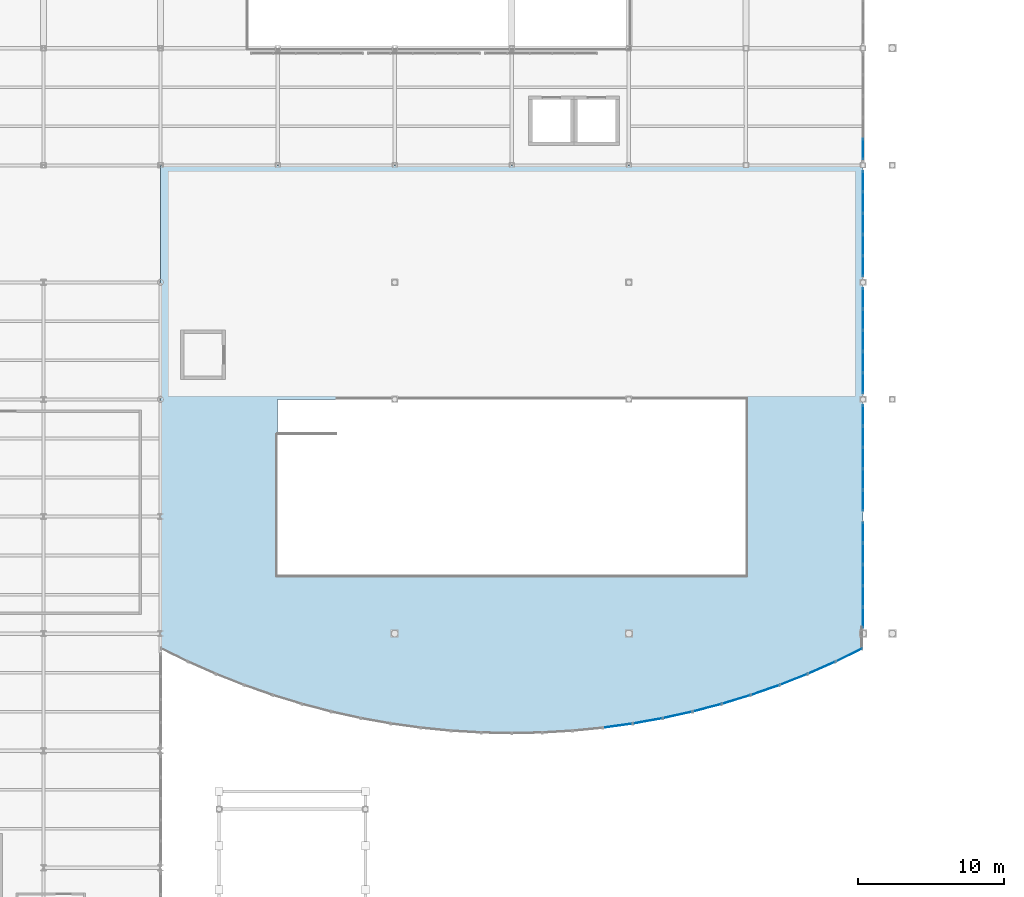
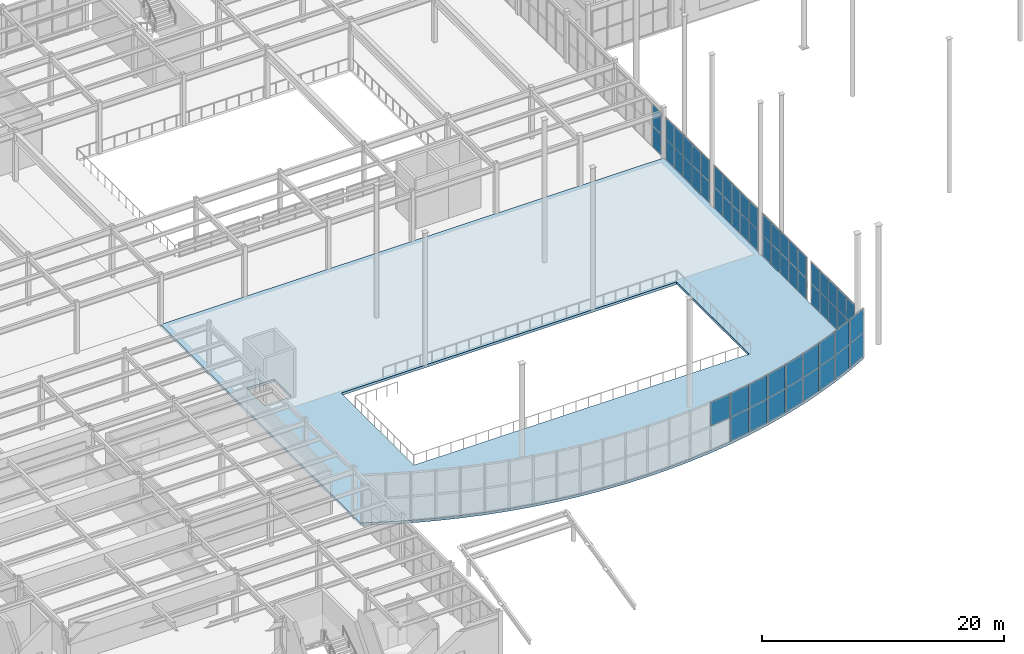
# One storey, part 48 of 77: 59 plates, 1 slab, 14 elements without a shape of their own.
"""IFC4 building model written with IfcOpenShell, lengths in metres."""

import ifcopenshell
import ifcopenshell.guid

model = None  # the IFC model being written
_history = None  # IfcOwnerHistory: only IFC2X3 demands one
_inside = {}  # id of a spatial element -> (the spatial element, [elements in it])
_under = {}  # id of a project, library or spatial element -> (it, [spatial elements below it])
_declared = {}  # id of a project -> (the project, [libraries it declares])
_typed = {}  # id of a type object -> (the type object, [elements of that type])
_made_of = {}  # id of a material, layer set ... -> (it, [elements and type objects made of it])


def new_model(schema):
    """Start an empty IFC model of exactly this schema.

    Asked for "IFC4X3", IfcOpenShell would pick the latest addendum, in which some entities
    have other attributes; the version numbers below select the first issue.
    IFC2X3 requires an IfcOwnerHistory on every rooted entity: one is made here for all.
    """
    global model, _history
    if schema == "IFC4X3":
        model = ifcopenshell.file(schema_version=(4, 3, 0, 0))
    else:
        model = ifcopenshell.file(schema=schema)
    _inside.clear()
    _under.clear()
    _declared.clear()
    _typed.clear()
    _made_of.clear()
    _history = None
    if model.schema == "IFC2X3":
        org = make("IfcOrganization", Name="unknown")
        user = make(
            "IfcPersonAndOrganization",
            ThePerson=make("IfcPerson", FamilyName="unknown"),
            TheOrganization=org,
        )
        app = make(
            "IfcApplication",
            ApplicationDeveloper=org,
            Version="unknown",
            ApplicationFullName="unknown",
            ApplicationIdentifier="unknown",
        )
        _history = make(
            "IfcOwnerHistory",
            OwningUser=user,
            OwningApplication=app,
            ChangeAction="ADDED",
            CreationDate=0,
        )
    return model


def make(cls, **values):
    """One entity of the class cls with the attributes given. An attribute that is None is left unset."""
    return model.create_entity(
        cls, **{name: value for name, value in values.items() if value is not None}
    )


def rooted(cls, **values):
    """An entity with a GlobalId (a new one), such as an element, a storey or a relation."""
    return make(cls, GlobalId=ifcopenshell.guid.new(), OwnerHistory=_history, **values)


def si_unit(unit_type, name, prefix=None):
    """IfcSIUnit, for example si_unit("LENGTHUNIT", "METRE", prefix="MILLI")."""
    return make("IfcSIUnit", UnitType=unit_type, Prefix=prefix, Name=name)


def assignment(units):
    """IfcUnitAssignment: the units of a project."""
    return None if units is None else make("IfcUnitAssignment", Units=units)


def point(xyz):
    """IfcCartesianPoint."""
    return None if xyz is None else make("IfcCartesianPoint", Coordinates=xyz)


def direction(xyz):
    """IfcDirection."""
    return None if xyz is None else make("IfcDirection", DirectionRatios=xyz)


def frame(location, z_axis=None, x_axis=None):
    """IfcAxis2Placement3D, a coordinate frame: its origin and axes. An axis left out is left unset."""
    return make(
        "IfcAxis2Placement3D",
        Location=point(location),
        Axis=direction(z_axis),
        RefDirection=direction(x_axis),
    )


def frame_2d(location, x_axis=None):
    """IfcAxis2Placement2D, a coordinate frame in the plane: its origin and x axis."""
    return make(
        "IfcAxis2Placement2D", Location=point(location), RefDirection=direction(x_axis)
    )


def origin():
    """The frame at (0, 0, 0) with its axes left unset."""
    return frame((0.0, 0.0, 0.0))


def origin_2d():
    """The frame at (0, 0) in the plane with its x axis left unset."""
    return frame_2d((0.0, 0.0))


def place(relative_to, where):
    """IfcLocalPlacement: puts the frame where relative to a parent placement (None: the world)."""
    return make(
        "IfcLocalPlacement", PlacementRelTo=relative_to, RelativePlacement=where
    )


def context(
    kind, dimensions, precision=None, world=None, true_north=None, identifier=None
):
    """IfcGeometricRepresentationContext, for example the 3D "Model" context."""
    return make(
        "IfcGeometricRepresentationContext",
        ContextIdentifier=identifier,
        ContextType=kind,
        CoordinateSpaceDimension=dimensions,
        Precision=precision,
        WorldCoordinateSystem=world,
        TrueNorth=true_north,
    )


def subcontext(parent, identifier, kind, view, scale=None):
    """IfcGeometricRepresentationSubContext, for example "Body" below "Model"."""
    return make(
        "IfcGeometricRepresentationSubContext",
        ContextIdentifier=identifier,
        ContextType=kind,
        ParentContext=parent,
        TargetScale=scale,
        TargetView=view,
    )


def project(units=None, contexts=None):
    """IfcProject with its units and contexts."""
    return rooted(
        "IfcProject",
        Name="project",
        RepresentationContexts=contexts,
        UnitsInContext=assignment(units),
    )


def spatial(cls, under=None, at=None, **own):
    """A site, building, storey or space (cls), placed at a placement, below another one or the project."""
    s = rooted(cls, ObjectPlacement=at, **own)
    if under is not None:
        _under.setdefault(under.id(), (under, []))[1].append(s)
    return s


def polyline(points):
    """IfcPolyline through the points."""
    return make("IfcPolyline", Points=[point(p) for p in points])


def profile(cls, at=None, kind="AREA", **sizes):
    """A parametric profile (cls). Its sizes go by their IFC names, for example OverallWidth=200.0."""
    return make(cls, ProfileType=kind, Position=at, **sizes)


def rectangle(**sizes):
    """IfcRectangleProfileDef."""
    return profile("IfcRectangleProfileDef", **sizes)


def outline(outer, holes=None, kind="AREA"):
    """IfcArbitraryClosedProfileDef: a profile drawn as a closed curve; with holes, ...WithVoids."""
    if holes is None:
        return make("IfcArbitraryClosedProfileDef", ProfileType=kind, OuterCurve=outer)
    return make(
        "IfcArbitraryProfileDefWithVoids",
        ProfileType=kind,
        OuterCurve=outer,
        InnerCurves=holes,
    )


def extrude(swept, where, along, depth):
    """IfcExtrudedAreaSolid: the profile swept, set in the frame where, extruded along a direction by depth."""
    return make(
        "IfcExtrudedAreaSolid",
        SweptArea=swept,
        Position=where,
        ExtrudedDirection=direction(along),
        Depth=depth,
    )


def shape(context_of_items, identifier, shape_type, items):
    """IfcShapeRepresentation: the items that make up one representation, for example the "Body"."""
    return make(
        "IfcShapeRepresentation",
        ContextOfItems=context_of_items,
        RepresentationIdentifier=identifier,
        RepresentationType=shape_type,
        Items=items,
    )


def material(Name=None, Category=None):
    """IfcMaterial."""
    return make("IfcMaterial", Name=Name, Category=Category)


def layer(
    of_material, thickness, ventilated=None, Name=None, Category=None, Priority=None
):
    """IfcMaterialLayer: one layer of a wall or slab, of a material (None: an air gap)."""
    return make(
        "IfcMaterialLayer",
        Material=of_material,
        LayerThickness=thickness,
        IsVentilated=ventilated,
        Name=Name,
        Category=Category,
        Priority=Priority,
    )


def layer_set(layers, Name=None):
    """IfcMaterialLayerSet."""
    return make("IfcMaterialLayerSet", MaterialLayers=layers, LayerSetName=Name)


def made_of(thing, what):
    """Note that an element or type object is made of a material, layer set ...; save() writes the relation."""
    if what is not None:
        _made_of.setdefault(what.id(), (what, []))[1].append(thing)
    return thing


def type_object(cls, material=None, **own):
    """A type object (cls), such as IfcWallType, which elements share."""
    return made_of(rooted(cls, **own), material)


def element(
    cls,
    number,
    at=None,
    inside=None,
    cuts=None,
    type_object=None,
    material=None,
    context=None,
    identifier="Body",
    shape_type=None,
    held_by="IfcProductDefinitionShape",
    body=None,
    shapes=None,
    **own,
):
    """One element of the class cls, such as IfcWall. Its Tag is "e" and its number.

    at: its placement. inside: the storey or other place that contains it. cuts: it is an
    opening in that element (IfcRelVoidsElement). A single representation is given by context,
    identifier, shape_type and body (its items); several are given by shapes. held_by: the class
    of the entity that holds the representations. save() writes the other relations.
    """
    e = rooted(cls, Tag="e%d" % number, ObjectPlacement=at, **own)
    if body is not None:
        shapes = [shape(context, identifier, shape_type, body)]
    if shapes is not None:
        e.Representation = make(held_by, Representations=shapes)
    if inside is not None:
        _inside.setdefault(inside.id(), (inside, []))[1].append(e)
    if cuts is not None:
        rooted(
            "IfcRelVoidsElement", RelatingBuildingElement=cuts, RelatedOpeningElement=e
        )
    if type_object is not None:
        _typed.setdefault(type_object.id(), (type_object, []))[1].append(e)
    return made_of(e, material)


def aggregate(whole, parts):
    """IfcRelAggregates: a whole, such as a stair, and the parts it consists of."""
    return rooted("IfcRelAggregates", RelatingObject=whole, RelatedObjects=parts)


def save(model, path):
    """Write the relations noted so far, then the file.

    IfcRelAggregates (storeys below a building ...), IfcRelContainedInSpatialStructure (elements
    in a storey), IfcRelDefinesByType, IfcRelAssociatesMaterial and IfcRelDeclares: one each for
    every whole, place, type object, material and project.
    """
    for whole, parts in _under.values():
        aggregate(whole, parts)
    for where, things in _inside.values():
        rooted(
            "IfcRelContainedInSpatialStructure",
            RelatedElements=things,
            RelatingStructure=where,
        )
    for kind, things in _typed.values():
        rooted("IfcRelDefinesByType", RelatedObjects=things, RelatingType=kind)
    for what, things in _made_of.values():
        rooted("IfcRelAssociatesMaterial", RelatedObjects=things, RelatingMaterial=what)
    for by, libraries in _declared.values():
        rooted("IfcRelDeclares", RelatingContext=by, RelatedDefinitions=libraries)
    model.write(path)


model = new_model("IFC4")

# Units and contexts
model_context = context("Model", 3, precision=1e-05, world=origin(), true_north=direction((0.0, 1.0)))
body_context = subcontext(model_context, "Body", "Model", "MODEL_VIEW")
ifc_project = project(units=[si_unit("LENGTHUNIT", "METRE"), si_unit("AREAUNIT", "SQUARE_METRE"), si_unit("VOLUMEUNIT", "CUBIC_METRE"), si_unit("PLANEANGLEUNIT", "RADIAN"), si_unit("MASSUNIT", "GRAM", prefix="KILO")], contexts=[model_context])

# Site, building, storey
site_placement = place(None, origin())
site = spatial("IfcSite", under=ifc_project, at=site_placement, CompositionType="ELEMENT")
building_placement = place(site_placement, origin())
building = spatial("IfcBuilding", under=site, at=building_placement, Name="Drelvath Fold Interchange", CompositionType="ELEMENT")
storey_placement = place(building_placement, frame((0.0, 0.0, 6.0)))
storey = spatial("IfcBuildingStorey", under=building, at=storey_placement, Name="L01", CompositionType="ELEMENT", Elevation=6.0)

# Curtain wall, plate
ifc_material_1 = material(Name="Anodized Aluminium 6063-T6", Category="aluminium")
curtain_wall_type_1 = type_object("IfcCurtainWallType", Name="CW-ARC-L01", PredefinedType="USERDEFINED", material=ifc_material_1)
curtain_wall_1_placement = place(storey_placement, origin())
curtain_wall_1 = element("IfcCurtainWall", 1, at=curtain_wall_1_placement, inside=storey, type_object=curtain_wall_type_1, Name="Curtain wall CW-WH-L01-15", ObjectType="UNITISED CURTAIN WALL", PredefinedType="USERDEFINED")
ifc_material_2 = material(Name="Low-Iron Insulated Laminated Glass", Category="glass")
ifc_layer_1 = layer(ifc_material_2, 0.035888671875, Name="Low-Iron Insulated Laminated Glass")
ifc_layer_set_1 = layer_set([ifc_layer_1], Name="Low-Iron Insulated Laminated Glass")
plate_type_1 = type_object("IfcPlateType", Name="CP-ARC-A", PredefinedType="CURTAIN_PANEL", material=ifc_layer_set_1)
plate_1_placement = place(storey_placement, frame((83.2451171875, 20.7060546875, 2.4599609375), z_axis=(0.0, 0.0, 1.0), x_axis=(0.990406033328, 0.138187876271, 0.0)))
plate_1 = element("IfcPlate", 2, at=plate_1_placement, type_object=plate_type_1, Name="CW-WH-L01-15 glazed panel 0-1", PredefinedType="CURTAIN_PANEL", context=body_context, shape_type="SweptSolid", body=[
    extrude(rectangle(XDim=1.97705078125, YDim=0.035888671875, at=origin_2d()), origin(), (0.0, 0.0, 1.0), 2.39990234375),
])
aggregate(curtain_wall_1, [plate_1])

# Curtain wall, plates
curtain_wall_2_placement = place(storey_placement, origin())
curtain_wall_2 = element("IfcCurtainWall", 3, at=curtain_wall_2_placement, inside=storey, type_object=curtain_wall_type_1, Name="Curtain wall CW-WH-L01-16", ObjectType="UNITISED CURTAIN WALL", PredefinedType="USERDEFINED")
plate_2_placement = place(storey_placement, frame((85.2958984375, 21.032958984375, 0.0400390625), z_axis=(0.0, 0.0, 1.0), x_axis=(0.984177058302, 0.177187804071, 0.0)))
plate_2 = element("IfcPlate", 4, at=plate_2_placement, type_object=plate_type_1, Name="CW-WH-L01-16 glazed panel 0-0", PredefinedType="CURTAIN_PANEL", context=body_context, shape_type="SweptSolid", body=[
    extrude(rectangle(XDim=1.97705078125, YDim=0.035888671875, at=origin_2d()), origin(), (0.0, 0.0, 1.0), 2.39990234375),
])
plate_3_placement = place(storey_placement, frame((85.2958984375, 21.032958984375, 2.4599609375), z_axis=(0.0, 0.0, 1.0), x_axis=(0.984177058302, 0.177187804071, 0.0)))
plate_3 = element("IfcPlate", 5, at=plate_3_placement, type_object=plate_type_1, Name="CW-WH-L01-16 glazed panel 0-1", PredefinedType="CURTAIN_PANEL", context=body_context, shape_type="SweptSolid", body=[
    extrude(rectangle(XDim=1.97705078125, YDim=0.035888671875, at=origin_2d()), origin(), (0.0, 0.0, 1.0), 2.39990234375),
])
aggregate(curtain_wall_2, [plate_2, plate_3])

curtain_wall_3_placement = place(storey_placement, origin())
curtain_wall_3 = element("IfcCurtainWall", 6, at=curtain_wall_3_placement, inside=storey, type_object=curtain_wall_type_1, Name="Curtain wall CW-WH-L01-17", ObjectType="UNITISED CURTAIN WALL", PredefinedType="USERDEFINED")
plate_4_placement = place(storey_placement, frame((87.33203125, 21.44091796875, 0.0400390625), z_axis=(0.0, 0.0, 1.0), x_axis=(0.976458168269, 0.215706851122, 0.0)))
plate_4 = element("IfcPlate", 7, at=plate_4_placement, type_object=plate_type_1, Name="CW-WH-L01-17 glazed panel 0-0", PredefinedType="CURTAIN_PANEL", context=body_context, shape_type="SweptSolid", body=[
    extrude(rectangle(XDim=1.97705078125, YDim=0.035888671875, at=origin_2d()), origin(), (0.0, 0.0, 1.0), 2.39990234375),
])
plate_5_placement = place(storey_placement, frame((87.33203125, 21.44091796875, 2.4599609375), z_axis=(0.0, 0.0, 1.0), x_axis=(0.976458168269, 0.215706851122, 0.0)))
plate_5 = element("IfcPlate", 8, at=plate_5_placement, type_object=plate_type_1, Name="CW-WH-L01-17 glazed panel 0-1", PredefinedType="CURTAIN_PANEL", context=body_context, shape_type="SweptSolid", body=[
    extrude(rectangle(XDim=1.97705078125, YDim=0.035888671875, at=origin_2d()), origin(), (0.0, 0.0, 1.0), 2.39990234375),
])
aggregate(curtain_wall_3, [plate_4, plate_5])

curtain_wall_4_placement = place(storey_placement, origin())
curtain_wall_4 = element("IfcCurtainWall", 9, at=curtain_wall_4_placement, inside=storey, type_object=curtain_wall_type_1, Name="Curtain wall CW-WH-L01-18", ObjectType="UNITISED CURTAIN WALL", PredefinedType="USERDEFINED")
plate_6_placement = place(storey_placement, frame((89.35107421875, 21.928955078125, 0.0400390625), z_axis=(0.0, 0.0, 1.0), x_axis=(0.96703705104, 0.254635704322, 0.0)))
plate_6 = element("IfcPlate", 10, at=plate_6_placement, type_object=plate_type_1, Name="CW-WH-L01-18 glazed panel 0-0", PredefinedType="CURTAIN_PANEL", context=body_context, shape_type="SweptSolid", body=[
    extrude(rectangle(XDim=1.97705078125, YDim=0.035888671875, at=origin_2d()), origin(), (0.0, 0.0, 1.0), 2.39990234375),
])
plate_7_placement = place(storey_placement, frame((89.35107421875, 21.928955078125, 2.4599609375), z_axis=(0.0, 0.0, 1.0), x_axis=(0.96703705104, 0.254635704322, 0.0)))
plate_7 = element("IfcPlate", 11, at=plate_7_placement, type_object=plate_type_1, Name="CW-WH-L01-18 glazed panel 0-1", PredefinedType="CURTAIN_PANEL", context=body_context, shape_type="SweptSolid", body=[
    extrude(rectangle(XDim=1.97705078125, YDim=0.035888671875, at=origin_2d()), origin(), (0.0, 0.0, 1.0), 2.39990234375),
])
aggregate(curtain_wall_4, [plate_6, plate_7])

curtain_wall_5_placement = place(storey_placement, origin())
curtain_wall_5 = element("IfcCurtainWall", 12, at=curtain_wall_5_placement, inside=storey, type_object=curtain_wall_type_1, Name="Curtain wall CW-WH-L01-19", ObjectType="UNITISED CURTAIN WALL", PredefinedType="USERDEFINED")
plate_8_placement = place(storey_placement, frame((91.347900390625, 22.4970703125, 0.0400390625), z_axis=(0.0, 0.0, 1.0), x_axis=(0.956330266566, 0.292288250276, 0.0)))
plate_8 = element("IfcPlate", 13, at=plate_8_placement, type_object=plate_type_1, Name="CW-WH-L01-19 glazed panel 0-0", PredefinedType="CURTAIN_PANEL", context=body_context, shape_type="SweptSolid", body=[
    extrude(rectangle(XDim=1.97705078125, YDim=0.035888671875, at=origin_2d()), origin(), (0.0, 0.0, 1.0), 2.39990234375),
])
plate_9_placement = place(storey_placement, frame((91.347900390625, 22.4970703125, 2.4599609375), z_axis=(0.0, 0.0, 1.0), x_axis=(0.956330266566, 0.292288250276, 0.0)))
plate_9 = element("IfcPlate", 14, at=plate_9_placement, type_object=plate_type_1, Name="CW-WH-L01-19 glazed panel 0-1", PredefinedType="CURTAIN_PANEL", context=body_context, shape_type="SweptSolid", body=[
    extrude(rectangle(XDim=1.97705078125, YDim=0.035888671875, at=origin_2d()), origin(), (0.0, 0.0, 1.0), 2.39990234375),
])
aggregate(curtain_wall_5, [plate_8, plate_9])

curtain_wall_6_placement = place(storey_placement, origin())
curtain_wall_6 = element("IfcCurtainWall", 15, at=curtain_wall_6_placement, inside=storey, type_object=curtain_wall_type_1, Name="Curtain wall CW-WH-L01-20", ObjectType="UNITISED CURTAIN WALL", PredefinedType="USERDEFINED")
plate_10_placement = place(storey_placement, frame((93.322021484375, 23.14306640625, 0.0400390625), z_axis=(0.0, 0.0, 1.0), x_axis=(0.944060245862, 0.329773031317, 0.0)))
plate_10 = element("IfcPlate", 16, at=plate_10_placement, type_object=plate_type_1, Name="CW-WH-L01-20 glazed panel 0-0", PredefinedType="CURTAIN_PANEL", context=body_context, shape_type="SweptSolid", body=[
    extrude(rectangle(XDim=1.97705078125, YDim=0.035888671875, at=origin_2d()), origin(), (0.0, 0.0, 1.0), 2.39990234375),
])
plate_11_placement = place(storey_placement, frame((93.322021484375, 23.14306640625, 2.4599609375), z_axis=(0.0, 0.0, 1.0), x_axis=(0.944060245862, 0.329773031317, 0.0)))
plate_11 = element("IfcPlate", 17, at=plate_11_placement, type_object=plate_type_1, Name="CW-WH-L01-20 glazed panel 0-1", PredefinedType="CURTAIN_PANEL", context=body_context, shape_type="SweptSolid", body=[
    extrude(rectangle(XDim=1.97705078125, YDim=0.035888671875, at=origin_2d()), origin(), (0.0, 0.0, 1.0), 2.39990234375),
])
aggregate(curtain_wall_6, [plate_10, plate_11])

curtain_wall_7_placement = place(storey_placement, origin())
curtain_wall_7 = element("IfcCurtainWall", 18, at=curtain_wall_7_placement, inside=storey, type_object=curtain_wall_type_1, Name="Curtain wall CW-WH-L01-21", ObjectType="UNITISED CURTAIN WALL", PredefinedType="USERDEFINED")
plate_12_placement = place(storey_placement, frame((95.26806640625, 23.866943359375, 0.0400390625), z_axis=(0.0, 0.0, 1.0), x_axis=(0.93009738109, 0.367313029567, 0.0)))
plate_12 = element("IfcPlate", 19, at=plate_12_placement, type_object=plate_type_1, Name="CW-WH-L01-21 glazed panel 0-0", PredefinedType="CURTAIN_PANEL", context=body_context, shape_type="SweptSolid", body=[
    extrude(rectangle(XDim=1.97705078125, YDim=0.035888671875, at=origin_2d()), origin(), (0.0, 0.0, 1.0), 2.39990234375),
])
plate_13_placement = place(storey_placement, frame((95.26806640625, 23.866943359375, 2.4599609375), z_axis=(0.0, 0.0, 1.0), x_axis=(0.93009738109, 0.367313029567, 0.0)))
plate_13 = element("IfcPlate", 20, at=plate_13_placement, type_object=plate_type_1, Name="CW-WH-L01-21 glazed panel 0-1", PredefinedType="CURTAIN_PANEL", context=body_context, shape_type="SweptSolid", body=[
    extrude(rectangle(XDim=1.97705078125, YDim=0.035888671875, at=origin_2d()), origin(), (0.0, 0.0, 1.0), 2.39990234375),
])
aggregate(curtain_wall_7, [plate_12, plate_13])

curtain_wall_8_placement = place(storey_placement, origin())
curtain_wall_8 = element("IfcCurtainWall", 21, at=curtain_wall_8_placement, inside=storey, type_object=curtain_wall_type_1, Name="Curtain wall CW-WH-L01-22", ObjectType="UNITISED CURTAIN WALL", PredefinedType="USERDEFINED")
plate_14_placement = place(storey_placement, frame((97.18408203125, 24.66796875, 0.0400390625), z_axis=(0.0, 0.0, 1.0), x_axis=(0.91495966785, 0.403545296352, 0.0)))
plate_14 = element("IfcPlate", 22, at=plate_14_placement, type_object=plate_type_1, Name="CW-WH-L01-22 glazed panel 0-0", PredefinedType="CURTAIN_PANEL", context=body_context, shape_type="SweptSolid", body=[
    extrude(rectangle(XDim=1.97705078125, YDim=0.035888671875, at=origin_2d()), origin(), (0.0, 0.0, 1.0), 2.39990234375),
])
plate_15_placement = place(storey_placement, frame((97.18408203125, 24.66796875, 2.4599609375), z_axis=(0.0, 0.0, 1.0), x_axis=(0.91495966785, 0.403545296352, 0.0)))
plate_15 = element("IfcPlate", 23, at=plate_15_placement, type_object=plate_type_1, Name="CW-WH-L01-22 glazed panel 0-1", PredefinedType="CURTAIN_PANEL", context=body_context, shape_type="SweptSolid", body=[
    extrude(rectangle(XDim=1.97705078125, YDim=0.035888671875, at=origin_2d()), origin(), (0.0, 0.0, 1.0), 2.39990234375),
])
aggregate(curtain_wall_8, [plate_14, plate_15])

curtain_wall_9_placement = place(storey_placement, origin())
curtain_wall_9 = element("IfcCurtainWall", 24, at=curtain_wall_9_placement, inside=storey, type_object=curtain_wall_type_1, Name="Curtain wall CW-WH-L01-23", ObjectType="UNITISED CURTAIN WALL", PredefinedType="USERDEFINED")
plate_16_placement = place(storey_placement, frame((99.06689453125, 25.5439453125, 0.0400390625), z_axis=(0.0, 0.0, 1.0), x_axis=(0.898242463355, 0.439500258277, 0.0)))
plate_16 = element("IfcPlate", 25, at=plate_16_placement, type_object=plate_type_1, Name="CW-WH-L01-23 glazed panel 0-0", PredefinedType="CURTAIN_PANEL", context=body_context, shape_type="SweptSolid", body=[
    extrude(rectangle(XDim=1.97705078125, YDim=0.035888671875, at=origin_2d()), origin(), (0.0, 0.0, 1.0), 2.39990234375),
])
plate_17_placement = place(storey_placement, frame((99.06689453125, 25.5439453125, 2.4599609375), z_axis=(0.0, 0.0, 1.0), x_axis=(0.898242463355, 0.439500258277, 0.0)))
plate_17 = element("IfcPlate", 26, at=plate_17_placement, type_object=plate_type_1, Name="CW-WH-L01-23 glazed panel 0-1", PredefinedType="CURTAIN_PANEL", context=body_context, shape_type="SweptSolid", body=[
    extrude(rectangle(XDim=1.97705078125, YDim=0.035888671875, at=origin_2d()), origin(), (0.0, 0.0, 1.0), 2.39990234375),
])
aggregate(curtain_wall_9, [plate_16, plate_17])

curtain_wall_type_2 = type_object("IfcCurtainWallType", Name="CW-CON-520", PredefinedType="USERDEFINED", material=ifc_material_1)
curtain_wall_10_placement = place(storey_placement, origin())
curtain_wall_10 = element("IfcCurtainWall", 27, at=curtain_wall_10_placement, inside=storey, type_object=curtain_wall_type_2, Name="Curtain wall CW-V1E-L01-Y27", ObjectType="UNITISED CURTAIN WALL", PredefinedType="USERDEFINED")
ifc_layer_2 = layer(ifc_material_2, 0.05810546875, Name="Low-Iron Insulated Laminated Glass")
ifc_layer_set_2 = layer_set([ifc_layer_2], Name="Low-Iron Insulated Laminated Glass")
plate_type_2 = type_object("IfcPlateType", Name="CP-CON-B", PredefinedType="CURTAIN_PANEL", material=ifc_layer_set_2)
plate_18_placement = place(storey_placement, frame((100.0, 28.10791015625, 0.04052734375), z_axis=(0.0, 0.0, 1.0), x_axis=(0.0, 1.0, 0.0)))
plate_18 = element("IfcPlate", 28, at=plate_18_placement, type_object=plate_type_2, Name="CW-V1E-L01-Y27 glazed panel 0-0", PredefinedType="CURTAIN_PANEL", context=body_context, shape_type="SweptSolid", body=[
    extrude(rectangle(XDim=1.39599609375, YDim=0.05810546875, at=origin_2d()), origin(), (0.0, 0.0, 1.0), 2.125),
])
plate_19_placement = place(storey_placement, frame((100.0, 28.10791015625, 2.185546875), z_axis=(0.0, 0.0, 1.0), x_axis=(0.0, 1.0, 0.0)))
plate_19 = element("IfcPlate", 29, at=plate_19_placement, type_object=plate_type_2, Name="CW-V1E-L01-Y27 glazed panel 0-1", PredefinedType="CURTAIN_PANEL", context=body_context, shape_type="SweptSolid", body=[
    extrude(rectangle(XDim=1.39599609375, YDim=0.05810546875, at=origin_2d()), origin(), (0.0, 0.0, 1.0), 2.125),
])
plate_20_placement = place(storey_placement, frame((100.0, 29.5439453125, 0.04052734375), z_axis=(0.0, 0.0, 1.0), x_axis=(0.0, 1.0, 0.0)))
plate_20 = element("IfcPlate", 30, at=plate_20_placement, type_object=plate_type_2, Name="CW-V1E-L01-Y27 glazed panel 1-0", PredefinedType="CURTAIN_PANEL", context=body_context, shape_type="SweptSolid", body=[
    extrude(rectangle(XDim=1.43603515625, YDim=0.05810546875, at=origin_2d()), origin(), (0.0, 0.0, 1.0), 2.125),
])
plate_21_placement = place(storey_placement, frame((100.0, 29.5439453125, 2.185546875), z_axis=(0.0, 0.0, 1.0), x_axis=(0.0, 1.0, 0.0)))
plate_21 = element("IfcPlate", 31, at=plate_21_placement, type_object=plate_type_2, Name="CW-V1E-L01-Y27 glazed panel 1-1", PredefinedType="CURTAIN_PANEL", context=body_context, shape_type="SweptSolid", body=[
    extrude(rectangle(XDim=1.43603515625, YDim=0.05810546875, at=origin_2d()), origin(), (0.0, 0.0, 1.0), 2.125),
])
plate_22_placement = place(storey_placement, frame((100.0, 31.0, 0.04052734375), z_axis=(0.0, 0.0, 1.0), x_axis=(0.0, 1.0, 0.0)))
plate_22 = element("IfcPlate", 32, at=plate_22_placement, type_object=plate_type_2, Name="CW-V1E-L01-Y27 glazed panel 2-0", PredefinedType="CURTAIN_PANEL", context=body_context, shape_type="SweptSolid", body=[
    extrude(rectangle(XDim=1.43603515625, YDim=0.05810546875, at=origin_2d()), origin(), (0.0, 0.0, 1.0), 2.125),
])
plate_23_placement = place(storey_placement, frame((100.0, 31.0, 2.185546875), z_axis=(0.0, 0.0, 1.0), x_axis=(0.0, 1.0, 0.0)))
plate_23 = element("IfcPlate", 33, at=plate_23_placement, type_object=plate_type_2, Name="CW-V1E-L01-Y27 glazed panel 2-1", PredefinedType="CURTAIN_PANEL", context=body_context, shape_type="SweptSolid", body=[
    extrude(rectangle(XDim=1.43603515625, YDim=0.05810546875, at=origin_2d()), origin(), (0.0, 0.0, 1.0), 2.125),
])
plate_24_placement = place(storey_placement, frame((100.0, 32.4560546875, 0.04052734375), z_axis=(0.0, 0.0, 1.0), x_axis=(0.0, 1.0, 0.0)))
plate_24 = element("IfcPlate", 34, at=plate_24_placement, type_object=plate_type_2, Name="CW-V1E-L01-Y27 glazed panel 3-0", PredefinedType="CURTAIN_PANEL", context=body_context, shape_type="SweptSolid", body=[
    extrude(rectangle(XDim=1.43603515625, YDim=0.05810546875, at=origin_2d()), origin(), (0.0, 0.0, 1.0), 2.125),
])
plate_25_placement = place(storey_placement, frame((100.0, 32.4560546875, 2.185546875), z_axis=(0.0, 0.0, 1.0), x_axis=(0.0, 1.0, 0.0)))
plate_25 = element("IfcPlate", 35, at=plate_25_placement, type_object=plate_type_2, Name="CW-V1E-L01-Y27 glazed panel 3-1", PredefinedType="CURTAIN_PANEL", context=body_context, shape_type="SweptSolid", body=[
    extrude(rectangle(XDim=1.43603515625, YDim=0.05810546875, at=origin_2d()), origin(), (0.0, 0.0, 1.0), 2.125),
])
plate_26_placement = place(storey_placement, frame((100.0, 33.89208984375, 0.04052734375), z_axis=(0.0, 0.0, 1.0), x_axis=(0.0, 1.0, 0.0)))
plate_26 = element("IfcPlate", 36, at=plate_26_placement, type_object=plate_type_2, Name="CW-V1E-L01-Y27 glazed panel 4-0", PredefinedType="CURTAIN_PANEL", context=body_context, shape_type="SweptSolid", body=[
    extrude(rectangle(XDim=1.39599609375, YDim=0.05810546875, at=origin_2d()), origin(), (0.0, 0.0, 1.0), 2.125),
])
plate_27_placement = place(storey_placement, frame((100.0, 33.89208984375, 2.185546875), z_axis=(0.0, 0.0, 1.0), x_axis=(0.0, 1.0, 0.0)))
plate_27 = element("IfcPlate", 37, at=plate_27_placement, type_object=plate_type_2, Name="CW-V1E-L01-Y27 glazed panel 4-1", PredefinedType="CURTAIN_PANEL", context=body_context, shape_type="SweptSolid", body=[
    extrude(rectangle(XDim=1.39599609375, YDim=0.05810546875, at=origin_2d()), origin(), (0.0, 0.0, 1.0), 2.125),
])
aggregate(curtain_wall_10, [plate_18, plate_19, plate_20, plate_21, plate_22, plate_23, plate_24, plate_25, plate_26, plate_27])

curtain_wall_11_placement = place(storey_placement, origin())
curtain_wall_11 = element("IfcCurtainWall", 38, at=curtain_wall_11_placement, inside=storey, type_object=curtain_wall_type_2, Name="Curtain wall CW-V1E-L01-Y35", ObjectType="UNITISED CURTAIN WALL", PredefinedType="USERDEFINED")
plate_28_placement = place(storey_placement, frame((100.0, 36.10791015625, 0.04052734375), z_axis=(0.0, 0.0, 1.0), x_axis=(0.0, 1.0, 0.0)))
plate_28 = element("IfcPlate", 39, at=plate_28_placement, type_object=plate_type_2, Name="CW-V1E-L01-Y35 glazed panel 0-0", PredefinedType="CURTAIN_PANEL", context=body_context, shape_type="SweptSolid", body=[
    extrude(rectangle(XDim=1.39599609375, YDim=0.05810546875, at=origin_2d()), origin(), (0.0, 0.0, 1.0), 2.125),
])
plate_29_placement = place(storey_placement, frame((100.0, 36.10791015625, 2.185546875), z_axis=(0.0, 0.0, 1.0), x_axis=(0.0, 1.0, 0.0)))
plate_29 = element("IfcPlate", 40, at=plate_29_placement, type_object=plate_type_2, Name="CW-V1E-L01-Y35 glazed panel 0-1", PredefinedType="CURTAIN_PANEL", context=body_context, shape_type="SweptSolid", body=[
    extrude(rectangle(XDim=1.39599609375, YDim=0.05810546875, at=origin_2d()), origin(), (0.0, 0.0, 1.0), 2.125),
])
plate_30_placement = place(storey_placement, frame((100.0, 37.5439453125, 0.04052734375), z_axis=(0.0, 0.0, 1.0), x_axis=(0.0, 1.0, 0.0)))
plate_30 = element("IfcPlate", 41, at=plate_30_placement, type_object=plate_type_2, Name="CW-V1E-L01-Y35 glazed panel 1-0", PredefinedType="CURTAIN_PANEL", context=body_context, shape_type="SweptSolid", body=[
    extrude(rectangle(XDim=1.43603515625, YDim=0.05810546875, at=origin_2d()), origin(), (0.0, 0.0, 1.0), 2.125),
])
plate_31_placement = place(storey_placement, frame((100.0, 37.5439453125, 2.185546875), z_axis=(0.0, 0.0, 1.0), x_axis=(0.0, 1.0, 0.0)))
plate_31 = element("IfcPlate", 42, at=plate_31_placement, type_object=plate_type_2, Name="CW-V1E-L01-Y35 glazed panel 1-1", PredefinedType="CURTAIN_PANEL", context=body_context, shape_type="SweptSolid", body=[
    extrude(rectangle(XDim=1.43603515625, YDim=0.05810546875, at=origin_2d()), origin(), (0.0, 0.0, 1.0), 2.125),
])
plate_32_placement = place(storey_placement, frame((100.0, 39.0, 0.04052734375), z_axis=(0.0, 0.0, 1.0), x_axis=(0.0, 1.0, 0.0)))
plate_32 = element("IfcPlate", 43, at=plate_32_placement, type_object=plate_type_2, Name="CW-V1E-L01-Y35 glazed panel 2-0", PredefinedType="CURTAIN_PANEL", context=body_context, shape_type="SweptSolid", body=[
    extrude(rectangle(XDim=1.43603515625, YDim=0.05810546875, at=origin_2d()), origin(), (0.0, 0.0, 1.0), 2.125),
])
plate_33_placement = place(storey_placement, frame((100.0, 39.0, 2.185546875), z_axis=(0.0, 0.0, 1.0), x_axis=(0.0, 1.0, 0.0)))
plate_33 = element("IfcPlate", 44, at=plate_33_placement, type_object=plate_type_2, Name="CW-V1E-L01-Y35 glazed panel 2-1", PredefinedType="CURTAIN_PANEL", context=body_context, shape_type="SweptSolid", body=[
    extrude(rectangle(XDim=1.43603515625, YDim=0.05810546875, at=origin_2d()), origin(), (0.0, 0.0, 1.0), 2.125),
])
plate_34_placement = place(storey_placement, frame((100.0, 40.4560546875, 0.04052734375), z_axis=(0.0, 0.0, 1.0), x_axis=(0.0, 1.0, 0.0)))
plate_34 = element("IfcPlate", 45, at=plate_34_placement, type_object=plate_type_2, Name="CW-V1E-L01-Y35 glazed panel 3-0", PredefinedType="CURTAIN_PANEL", context=body_context, shape_type="SweptSolid", body=[
    extrude(rectangle(XDim=1.43603515625, YDim=0.05810546875, at=origin_2d()), origin(), (0.0, 0.0, 1.0), 2.125),
])
plate_35_placement = place(storey_placement, frame((100.0, 40.4560546875, 2.185546875), z_axis=(0.0, 0.0, 1.0), x_axis=(0.0, 1.0, 0.0)))
plate_35 = element("IfcPlate", 46, at=plate_35_placement, type_object=plate_type_2, Name="CW-V1E-L01-Y35 glazed panel 3-1", PredefinedType="CURTAIN_PANEL", context=body_context, shape_type="SweptSolid", body=[
    extrude(rectangle(XDim=1.43603515625, YDim=0.05810546875, at=origin_2d()), origin(), (0.0, 0.0, 1.0), 2.125),
])
plate_36_placement = place(storey_placement, frame((100.0, 41.89208984375, 0.04052734375), z_axis=(0.0, 0.0, 1.0), x_axis=(0.0, 1.0, 0.0)))
plate_36 = element("IfcPlate", 47, at=plate_36_placement, type_object=plate_type_2, Name="CW-V1E-L01-Y35 glazed panel 4-0", PredefinedType="CURTAIN_PANEL", context=body_context, shape_type="SweptSolid", body=[
    extrude(rectangle(XDim=1.39599609375, YDim=0.05810546875, at=origin_2d()), origin(), (0.0, 0.0, 1.0), 2.125),
])
plate_37_placement = place(storey_placement, frame((100.0, 41.89208984375, 2.185546875), z_axis=(0.0, 0.0, 1.0), x_axis=(0.0, 1.0, 0.0)))
plate_37 = element("IfcPlate", 48, at=plate_37_placement, type_object=plate_type_2, Name="CW-V1E-L01-Y35 glazed panel 4-1", PredefinedType="CURTAIN_PANEL", context=body_context, shape_type="SweptSolid", body=[
    extrude(rectangle(XDim=1.39599609375, YDim=0.05810546875, at=origin_2d()), origin(), (0.0, 0.0, 1.0), 2.125),
])
aggregate(curtain_wall_11, [plate_28, plate_29, plate_30, plate_31, plate_32, plate_33, plate_34, plate_35, plate_36, plate_37])

curtain_wall_12_placement = place(storey_placement, origin())
curtain_wall_12 = element("IfcCurtainWall", 49, at=curtain_wall_12_placement, inside=storey, type_object=curtain_wall_type_2, Name="Curtain wall CW-V1E-L01-Y43", ObjectType="UNITISED CURTAIN WALL", PredefinedType="USERDEFINED")
plate_38_placement = place(storey_placement, frame((100.0, 44.10791015625, 0.04052734375), z_axis=(0.0, 0.0, 1.0), x_axis=(0.0, 1.0, 0.0)))
plate_38 = element("IfcPlate", 50, at=plate_38_placement, type_object=plate_type_2, Name="CW-V1E-L01-Y43 glazed panel 0-0", PredefinedType="CURTAIN_PANEL", context=body_context, shape_type="SweptSolid", body=[
    extrude(rectangle(XDim=1.39599609375, YDim=0.05810546875, at=origin_2d()), origin(), (0.0, 0.0, 1.0), 2.125),
])
plate_39_placement = place(storey_placement, frame((100.0, 44.10791015625, 2.185546875), z_axis=(0.0, 0.0, 1.0), x_axis=(0.0, 1.0, 0.0)))
plate_39 = element("IfcPlate", 51, at=plate_39_placement, type_object=plate_type_2, Name="CW-V1E-L01-Y43 glazed panel 0-1", PredefinedType="CURTAIN_PANEL", context=body_context, shape_type="SweptSolid", body=[
    extrude(rectangle(XDim=1.39599609375, YDim=0.05810546875, at=origin_2d()), origin(), (0.0, 0.0, 1.0), 2.125),
])
plate_40_placement = place(storey_placement, frame((100.0, 45.5439453125, 0.04052734375), z_axis=(0.0, 0.0, 1.0), x_axis=(0.0, 1.0, 0.0)))
plate_40 = element("IfcPlate", 52, at=plate_40_placement, type_object=plate_type_2, Name="CW-V1E-L01-Y43 glazed panel 1-0", PredefinedType="CURTAIN_PANEL", context=body_context, shape_type="SweptSolid", body=[
    extrude(rectangle(XDim=1.43603515625, YDim=0.05810546875, at=origin_2d()), origin(), (0.0, 0.0, 1.0), 2.125),
])
plate_41_placement = place(storey_placement, frame((100.0, 45.5439453125, 2.185546875), z_axis=(0.0, 0.0, 1.0), x_axis=(0.0, 1.0, 0.0)))
plate_41 = element("IfcPlate", 53, at=plate_41_placement, type_object=plate_type_2, Name="CW-V1E-L01-Y43 glazed panel 1-1", PredefinedType="CURTAIN_PANEL", context=body_context, shape_type="SweptSolid", body=[
    extrude(rectangle(XDim=1.43603515625, YDim=0.05810546875, at=origin_2d()), origin(), (0.0, 0.0, 1.0), 2.125),
])
plate_42_placement = place(storey_placement, frame((100.0, 47.0, 0.04052734375), z_axis=(0.0, 0.0, 1.0), x_axis=(0.0, 1.0, 0.0)))
plate_42 = element("IfcPlate", 54, at=plate_42_placement, type_object=plate_type_2, Name="CW-V1E-L01-Y43 glazed panel 2-0", PredefinedType="CURTAIN_PANEL", context=body_context, shape_type="SweptSolid", body=[
    extrude(rectangle(XDim=1.43603515625, YDim=0.05810546875, at=origin_2d()), origin(), (0.0, 0.0, 1.0), 2.125),
])
plate_43_placement = place(storey_placement, frame((100.0, 47.0, 2.185546875), z_axis=(0.0, 0.0, 1.0), x_axis=(0.0, 1.0, 0.0)))
plate_43 = element("IfcPlate", 55, at=plate_43_placement, type_object=plate_type_2, Name="CW-V1E-L01-Y43 glazed panel 2-1", PredefinedType="CURTAIN_PANEL", context=body_context, shape_type="SweptSolid", body=[
    extrude(rectangle(XDim=1.43603515625, YDim=0.05810546875, at=origin_2d()), origin(), (0.0, 0.0, 1.0), 2.125),
])
plate_44_placement = place(storey_placement, frame((100.0, 48.4560546875, 0.04052734375), z_axis=(0.0, 0.0, 1.0), x_axis=(0.0, 1.0, 0.0)))
plate_44 = element("IfcPlate", 56, at=plate_44_placement, type_object=plate_type_2, Name="CW-V1E-L01-Y43 glazed panel 3-0", PredefinedType="CURTAIN_PANEL", context=body_context, shape_type="SweptSolid", body=[
    extrude(rectangle(XDim=1.43603515625, YDim=0.05810546875, at=origin_2d()), origin(), (0.0, 0.0, 1.0), 2.125),
])
plate_45_placement = place(storey_placement, frame((100.0, 48.4560546875, 2.185546875), z_axis=(0.0, 0.0, 1.0), x_axis=(0.0, 1.0, 0.0)))
plate_45 = element("IfcPlate", 57, at=plate_45_placement, type_object=plate_type_2, Name="CW-V1E-L01-Y43 glazed panel 3-1", PredefinedType="CURTAIN_PANEL", context=body_context, shape_type="SweptSolid", body=[
    extrude(rectangle(XDim=1.43603515625, YDim=0.05810546875, at=origin_2d()), origin(), (0.0, 0.0, 1.0), 2.125),
])
plate_46_placement = place(storey_placement, frame((100.0, 49.89208984375, 0.04052734375), z_axis=(0.0, 0.0, 1.0), x_axis=(0.0, 1.0, 0.0)))
plate_46 = element("IfcPlate", 58, at=plate_46_placement, type_object=plate_type_2, Name="CW-V1E-L01-Y43 glazed panel 4-0", PredefinedType="CURTAIN_PANEL", context=body_context, shape_type="SweptSolid", body=[
    extrude(rectangle(XDim=1.39599609375, YDim=0.05810546875, at=origin_2d()), origin(), (0.0, 0.0, 1.0), 2.125),
])
plate_47_placement = place(storey_placement, frame((100.0, 49.89208984375, 2.185546875), z_axis=(0.0, 0.0, 1.0), x_axis=(0.0, 1.0, 0.0)))
plate_47 = element("IfcPlate", 59, at=plate_47_placement, type_object=plate_type_2, Name="CW-V1E-L01-Y43 glazed panel 4-1", PredefinedType="CURTAIN_PANEL", context=body_context, shape_type="SweptSolid", body=[
    extrude(rectangle(XDim=1.39599609375, YDim=0.05810546875, at=origin_2d()), origin(), (0.0, 0.0, 1.0), 2.125),
])
aggregate(curtain_wall_12, [plate_38, plate_39, plate_40, plate_41, plate_42, plate_43, plate_44, plate_45, plate_46, plate_47])

curtain_wall_13_placement = place(storey_placement, origin())
curtain_wall_13 = element("IfcCurtainWall", 60, at=curtain_wall_13_placement, inside=storey, type_object=curtain_wall_type_2, Name="Curtain wall CW-V1E-L01-Y51", ObjectType="UNITISED CURTAIN WALL", PredefinedType="USERDEFINED")
plate_48_placement = place(storey_placement, frame((100.0, 52.10791015625, 0.04052734375), z_axis=(0.0, 0.0, 1.0), x_axis=(0.0, 1.0, 0.0)))
plate_48 = element("IfcPlate", 61, at=plate_48_placement, type_object=plate_type_2, Name="CW-V1E-L01-Y51 glazed panel 0-0", PredefinedType="CURTAIN_PANEL", context=body_context, shape_type="SweptSolid", body=[
    extrude(rectangle(XDim=1.39599609375, YDim=0.05810546875, at=origin_2d()), origin(), (0.0, 0.0, 1.0), 2.125),
])
plate_49_placement = place(storey_placement, frame((100.0, 52.10791015625, 2.185546875), z_axis=(0.0, 0.0, 1.0), x_axis=(0.0, 1.0, 0.0)))
plate_49 = element("IfcPlate", 62, at=plate_49_placement, type_object=plate_type_2, Name="CW-V1E-L01-Y51 glazed panel 0-1", PredefinedType="CURTAIN_PANEL", context=body_context, shape_type="SweptSolid", body=[
    extrude(rectangle(XDim=1.39599609375, YDim=0.05810546875, at=origin_2d()), origin(), (0.0, 0.0, 1.0), 2.125),
])
plate_50_placement = place(storey_placement, frame((100.0, 53.5439453125, 0.04052734375), z_axis=(0.0, 0.0, 1.0), x_axis=(0.0, 1.0, 0.0)))
plate_50 = element("IfcPlate", 63, at=plate_50_placement, type_object=plate_type_2, Name="CW-V1E-L01-Y51 glazed panel 1-0", PredefinedType="CURTAIN_PANEL", context=body_context, shape_type="SweptSolid", body=[
    extrude(rectangle(XDim=1.43603515625, YDim=0.05810546875, at=origin_2d()), origin(), (0.0, 0.0, 1.0), 2.125),
])
plate_51_placement = place(storey_placement, frame((100.0, 53.5439453125, 2.185546875), z_axis=(0.0, 0.0, 1.0), x_axis=(0.0, 1.0, 0.0)))
plate_51 = element("IfcPlate", 64, at=plate_51_placement, type_object=plate_type_2, Name="CW-V1E-L01-Y51 glazed panel 1-1", PredefinedType="CURTAIN_PANEL", context=body_context, shape_type="SweptSolid", body=[
    extrude(rectangle(XDim=1.43603515625, YDim=0.05810546875, at=origin_2d()), origin(), (0.0, 0.0, 1.0), 2.125),
])
plate_52_placement = place(storey_placement, frame((100.0, 55.0, 0.04052734375), z_axis=(0.0, 0.0, 1.0), x_axis=(0.0, 1.0, 0.0)))
plate_52 = element("IfcPlate", 65, at=plate_52_placement, type_object=plate_type_2, Name="CW-V1E-L01-Y51 glazed panel 2-0", PredefinedType="CURTAIN_PANEL", context=body_context, shape_type="SweptSolid", body=[
    extrude(rectangle(XDim=1.43603515625, YDim=0.05810546875, at=origin_2d()), origin(), (0.0, 0.0, 1.0), 2.125),
])
plate_53_placement = place(storey_placement, frame((100.0, 55.0, 2.185546875), z_axis=(0.0, 0.0, 1.0), x_axis=(0.0, 1.0, 0.0)))
plate_53 = element("IfcPlate", 66, at=plate_53_placement, type_object=plate_type_2, Name="CW-V1E-L01-Y51 glazed panel 2-1", PredefinedType="CURTAIN_PANEL", context=body_context, shape_type="SweptSolid", body=[
    extrude(rectangle(XDim=1.43603515625, YDim=0.05810546875, at=origin_2d()), origin(), (0.0, 0.0, 1.0), 2.125),
])
plate_54_placement = place(storey_placement, frame((100.0, 56.4560546875, 0.04052734375), z_axis=(0.0, 0.0, 1.0), x_axis=(0.0, 1.0, 0.0)))
plate_54 = element("IfcPlate", 67, at=plate_54_placement, type_object=plate_type_2, Name="CW-V1E-L01-Y51 glazed panel 3-0", PredefinedType="CURTAIN_PANEL", context=body_context, shape_type="SweptSolid", body=[
    extrude(rectangle(XDim=1.43603515625, YDim=0.05810546875, at=origin_2d()), origin(), (0.0, 0.0, 1.0), 2.125),
])
plate_55_placement = place(storey_placement, frame((100.0, 56.4560546875, 2.185546875), z_axis=(0.0, 0.0, 1.0), x_axis=(0.0, 1.0, 0.0)))
plate_55 = element("IfcPlate", 68, at=plate_55_placement, type_object=plate_type_2, Name="CW-V1E-L01-Y51 glazed panel 3-1", PredefinedType="CURTAIN_PANEL", context=body_context, shape_type="SweptSolid", body=[
    extrude(rectangle(XDim=1.43603515625, YDim=0.05810546875, at=origin_2d()), origin(), (0.0, 0.0, 1.0), 2.125),
])
plate_56_placement = place(storey_placement, frame((100.0, 57.89208984375, 0.04052734375), z_axis=(0.0, 0.0, 1.0), x_axis=(0.0, 1.0, 0.0)))
plate_56 = element("IfcPlate", 69, at=plate_56_placement, type_object=plate_type_2, Name="CW-V1E-L01-Y51 glazed panel 4-0", PredefinedType="CURTAIN_PANEL", context=body_context, shape_type="SweptSolid", body=[
    extrude(rectangle(XDim=1.39599609375, YDim=0.05810546875, at=origin_2d()), origin(), (0.0, 0.0, 1.0), 2.125),
])
plate_57_placement = place(storey_placement, frame((100.0, 57.89208984375, 2.185546875), z_axis=(0.0, 0.0, 1.0), x_axis=(0.0, 1.0, 0.0)))
plate_57 = element("IfcPlate", 70, at=plate_57_placement, type_object=plate_type_2, Name="CW-V1E-L01-Y51 glazed panel 4-1", PredefinedType="CURTAIN_PANEL", context=body_context, shape_type="SweptSolid", body=[
    extrude(rectangle(XDim=1.39599609375, YDim=0.05810546875, at=origin_2d()), origin(), (0.0, 0.0, 1.0), 2.125),
])
aggregate(curtain_wall_13, [plate_48, plate_49, plate_50, plate_51, plate_52, plate_53, plate_54, plate_55, plate_56, plate_57])

curtain_wall_14_placement = place(storey_placement, origin())
curtain_wall_14 = element("IfcCurtainWall", 71, at=curtain_wall_14_placement, inside=storey, type_object=curtain_wall_type_2, Name="Curtain wall CW-V1E-L01-Y59", ObjectType="UNITISED CURTAIN WALL", PredefinedType="USERDEFINED")
plate_58_placement = place(storey_placement, frame((100.0, 60.10791015625, 0.04052734375), z_axis=(0.0, 0.0, 1.0), x_axis=(0.0, 1.0, 0.0)))
plate_58 = element("IfcPlate", 72, at=plate_58_placement, type_object=plate_type_2, Name="CW-V1E-L01-Y59 glazed panel 0-0", PredefinedType="CURTAIN_PANEL", context=body_context, shape_type="SweptSolid", body=[
    extrude(rectangle(XDim=1.39599609375, YDim=0.05810546875, at=origin_2d()), origin(), (0.0, 0.0, 1.0), 2.125),
])
plate_59_placement = place(storey_placement, frame((100.0, 60.10791015625, 2.185546875), z_axis=(0.0, 0.0, 1.0), x_axis=(0.0, 1.0, 0.0)))
plate_59 = element("IfcPlate", 73, at=plate_59_placement, type_object=plate_type_2, Name="CW-V1E-L01-Y59 glazed panel 0-1", PredefinedType="CURTAIN_PANEL", context=body_context, shape_type="SweptSolid", body=[
    extrude(rectangle(XDim=1.39599609375, YDim=0.05810546875, at=origin_2d()), origin(), (0.0, 0.0, 1.0), 2.125),
])
aggregate(curtain_wall_14, [plate_58, plate_59])

# Slab
ifc_material_3 = material(Name="Concrete f'c 35 MPa (5000 psi)", Category="concrete")
ifc_layer_3 = layer(ifc_material_3, 0.260009765625, Name="Concrete f'c 35 MPa (5000 psi)")
ifc_layer_set_3 = layer_set([ifc_layer_3], Name="Concrete f'c 35 MPa (5000 psi)")
slab_type = type_object("IfcSlabType", Name="FS-UP1W", PredefinedType="FLOOR", material=ifc_layer_set_3)
slab_placement = place(storey_placement, frame((0.0, 0.0, -0.260009765625)))
element("IfcSlab", 74, at=slab_placement, inside=storey, type_object=slab_type, Name="L01 structural slab SL-L01-V2", PredefinedType="FLOOR", context=body_context, shape_type="SweptSolid", body=[
    extrude(outline(polyline([(52.0, 26.0), (53.865966796875, 25.0869140625), (55.76611328125, 24.2490234375), (57.697998046875, 23.486083984375), (59.658935546875, 22.801025390625), (61.64501953125, 22.194091796875), (63.654052734375, 21.6650390625), (65.681884765625, 21.217041015625), (67.72607421875, 20.84912109375), (69.782958984375, 20.56201171875), (71.85009765625, 20.35693359375), (73.923095703125, 20.23388671875), (76.0, 20.193115234375), (78.076904296875, 20.23388671875), (80.14990234375, 20.35693359375), (82.217041015625, 20.56201171875), (84.27392578125, 20.84912109375), (86.318115234375, 21.217041015625), (88.345947265625, 21.6650390625), (90.35498046875, 22.194091796875), (92.341064453125, 22.801025390625), (94.302001953125, 23.486083984375), (96.23388671875, 24.2490234375), (98.134033203125, 25.0869140625), (100.0, 26.0), (100.0, 59.0), (52.0, 59.0), (52.0, 26.0)]), holes=[polyline([(60.0, 31.0), (60.0, 43.0), (92.0, 43.0), (92.0, 31.0), (60.0, 31.0)]), polyline([(53.60009765625, 44.60009765625), (53.60009765625, 47.5), (56.199951171875, 47.5), (56.199951171875, 44.60009765625), (53.60009765625, 44.60009765625)])]), origin(), (0.0, 0.0, 1.0), 0.260009765625),
])

save(model, "model.ifc")
